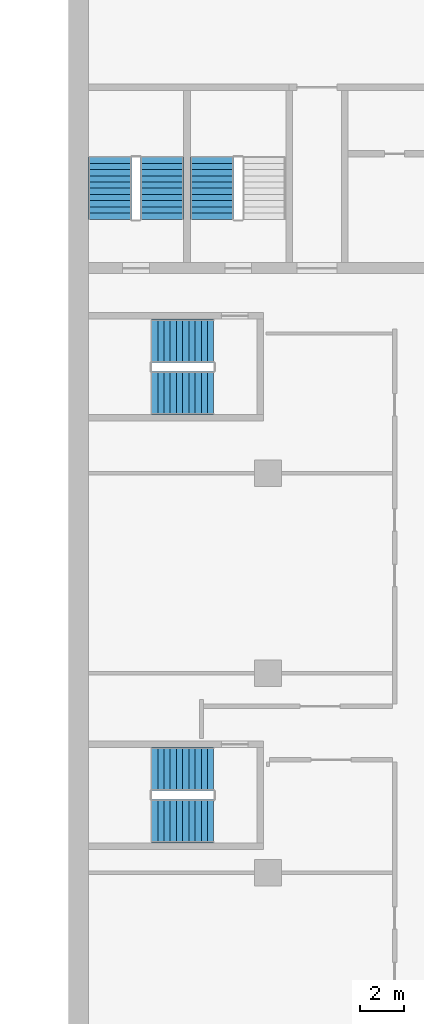
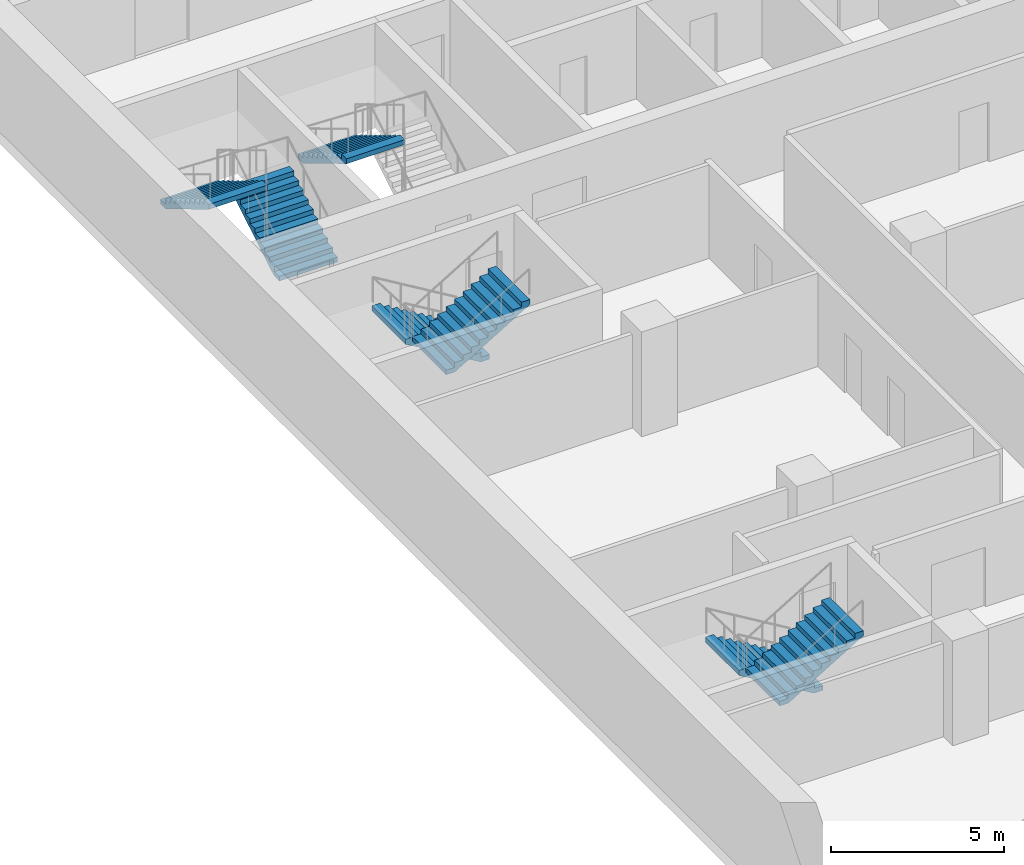
# One storey, part 15 of 22: 7 stair flights, 4 elements without a shape of their own.
"""IFC4 building model written with IfcOpenShell, lengths in metres."""

from ifc_helpers import new_model, si_unit, direction, frame, origin, place, context, subcontext, project, spatial, polyline, outline, extrude, material, type_object, element, aggregate, save


model = new_model("IFC4")

# Units and contexts
model_context = context("Model", 3, precision=1e-05, world=origin(), true_north=direction((0.0, 1.0)))
body_context = subcontext(model_context, "Body", "Model", "MODEL_VIEW")
ifc_project = project(units=[si_unit("LENGTHUNIT", "METRE"), si_unit("AREAUNIT", "SQUARE_METRE"), si_unit("VOLUMEUNIT", "CUBIC_METRE"), si_unit("PLANEANGLEUNIT", "RADIAN"), si_unit("MASSUNIT", "GRAM", prefix="KILO")], contexts=[model_context])

# Site, building, storey
site_placement = place(None, origin())
site = spatial("IfcSite", under=ifc_project, at=site_placement, CompositionType="ELEMENT")
building_placement = place(site_placement, origin())
building = spatial("IfcBuilding", under=site, at=building_placement, Name="Hunhe Ridgeline Campus", CompositionType="ELEMENT")
storey_placement = place(building_placement, frame((0.0, 0.0, 163.39990234375)))
storey = spatial("IfcBuildingStorey", under=building, at=storey_placement, Name="L41", CompositionType="ELEMENT", Elevation=163.39990234375)

# Stair, stair flights
ifc_material = material(Name="Concrete C40", Category="concrete")
stair_type = type_object("IfcStairType", Name="Reinforced concrete dog-leg stair 1950 Concrete C40", PredefinedType="HALF_TURN_STAIR", material=ifc_material)
stair_1_placement = place(storey_placement, origin())
stair_1 = element("IfcStair", 1, at=stair_1_placement, inside=storey, type_object=stair_type, Name="L41 S3", PredefinedType="HALF_TURN_STAIR")
stair_flight_type = type_object("IfcStairFlightType", Name="Reinforced concrete stair flight 1950 Concrete C40", PredefinedType="STRAIGHT", material=ifc_material)
stair_flight_1_placement = place(storey_placement, frame((4.22509765625, 65.449951171875, 0.0), z_axis=(0.0, 0.0, 1.0), x_axis=(0.0, 1.0, 0.0)))
stair_flight_1 = element("IfcStairFlight", 2, at=stair_flight_1_placement, type_object=stair_flight_type, Name="ST3 flight 1", NumberOfRisers=11, NumberOfTreads=10, PredefinedType="STRAIGHT", RiserHeight=0.168181818, TreadLength=0.28, context=body_context, shape_type="SweptSolid", body=[
    extrude(outline(polyline([(0.0, 0.0), (0.0, 0.168212890625), (0.280029296875, 0.168212890625), (0.280029296875, 0.33642578125), (0.56005859375, 0.33642578125), (0.56005859375, 0.504638671875), (0.840087890625, 0.504638671875), (0.840087890625, 0.672607421875), (1.1201171875, 0.672607421875), (1.1201171875, 0.8408203125), (1.39990234375, 0.8408203125), (1.39990234375, 1.009033203125), (1.679931640625, 1.009033203125), (1.679931640625, 1.17724609375), (1.9599609375, 1.17724609375), (1.9599609375, 1.345458984375), (2.239990234375, 1.345458984375), (2.239990234375, 1.513671875), (2.52001953125, 1.513671875), (2.52001953125, 1.681884765625), (2.800048828125, 1.681884765625), (2.800048828125, 1.85009765625), (2.800048828125, 1.5068359375), (0.291015625, 0.0), (0.0, 0.0)])), frame((0.0, 0.97509765625, 0.0), z_axis=(0.0, -1.0, 0.0), x_axis=(1.0, 0.0, 0.0)), (0.0, 0.0, 1.0), 1.949951171875),
    extrude(outline(polyline([(0.030029296875, 0.030029296875), (0.030029296875, 0.13818359375), (0.31005859375, 0.13818359375), (0.31005859375, 0.306396484375), (0.590087890625, 0.306396484375), (0.590087890625, 0.474609375), (0.8701171875, 0.474609375), (0.8701171875, 0.642578125), (1.14990234375, 0.642578125), (1.14990234375, 0.810791015625), (1.429931640625, 0.810791015625), (1.429931640625, 0.97900390625), (1.7099609375, 0.97900390625), (1.7099609375, 1.147216796875), (1.989990234375, 1.147216796875), (1.989990234375, 1.3154296875), (2.27001953125, 1.3154296875), (2.27001953125, 1.483642578125), (2.550048828125, 1.483642578125), (2.550048828125, 1.65185546875), (2.77001953125, 1.65185546875), (2.77001953125, 1.52392578125), (0.28271484375, 0.030029296875), (0.030029296875, 0.030029296875)])), frame((0.0, -0.070068359375, 0.0), z_axis=(0.0, -1.0, 0.0), x_axis=(1.0, 0.0, 0.0)), (0.0, 0.0, 1.0), 0.019775390625),
    extrude(outline(polyline([(0.030029296875, 0.030029296875), (0.030029296875, 0.13818359375), (0.31005859375, 0.13818359375), (0.31005859375, 0.306396484375), (0.590087890625, 0.306396484375), (0.590087890625, 0.474609375), (0.8701171875, 0.474609375), (0.8701171875, 0.642578125), (1.14990234375, 0.642578125), (1.14990234375, 0.810791015625), (1.429931640625, 0.810791015625), (1.429931640625, 0.97900390625), (1.7099609375, 0.97900390625), (1.7099609375, 1.147216796875), (1.989990234375, 1.147216796875), (1.989990234375, 1.3154296875), (2.27001953125, 1.3154296875), (2.27001953125, 1.483642578125), (2.550048828125, 1.483642578125), (2.550048828125, 1.65185546875), (2.77001953125, 1.65185546875), (2.77001953125, 1.52392578125), (0.28271484375, 0.030029296875), (0.030029296875, 0.030029296875)])), frame((0.0, 0.010009765625, 0.0), z_axis=(0.0, -1.0, 0.0), x_axis=(1.0, 0.0, 0.0)), (0.0, 0.0, 1.0), 0.019775390625),
    extrude(outline(polyline([(0.030029296875, 0.030029296875), (0.030029296875, 0.13818359375), (0.31005859375, 0.13818359375), (0.31005859375, 0.306396484375), (0.590087890625, 0.306396484375), (0.590087890625, 0.474609375), (0.8701171875, 0.474609375), (0.8701171875, 0.642578125), (1.14990234375, 0.642578125), (1.14990234375, 0.810791015625), (1.429931640625, 0.810791015625), (1.429931640625, 0.97900390625), (1.7099609375, 0.97900390625), (1.7099609375, 1.147216796875), (1.989990234375, 1.147216796875), (1.989990234375, 1.3154296875), (2.27001953125, 1.3154296875), (2.27001953125, 1.483642578125), (2.550048828125, 1.483642578125), (2.550048828125, 1.65185546875), (2.77001953125, 1.65185546875), (2.77001953125, 1.52392578125), (0.28271484375, 0.030029296875), (0.030029296875, 0.030029296875)])), frame((0.0, 0.090087890625, 0.0), z_axis=(0.0, -1.0, 0.0), x_axis=(1.0, 0.0, 0.0)), (0.0, 0.0, 1.0), 0.019775390625),
])
stair_flight_2_placement = place(storey_placement, frame((1.875, 68.25, 1.85009765625), z_axis=(0.0, 0.0, 1.0), x_axis=(0.0, -1.0, 0.0)))
stair_flight_2 = element("IfcStairFlight", 3, at=stair_flight_2_placement, type_object=stair_flight_type, Name="ST3 flight 2", NumberOfRisers=11, NumberOfTreads=10, PredefinedType="STRAIGHT", RiserHeight=0.168181818, TreadLength=0.28, context=body_context, shape_type="SweptSolid", body=[
    extrude(outline(polyline([(0.0, 0.0), (0.0, 0.168212890625), (0.280029296875, 0.168212890625), (0.280029296875, 0.33642578125), (0.56005859375, 0.33642578125), (0.56005859375, 0.504638671875), (0.840087890625, 0.504638671875), (0.840087890625, 0.672607421875), (1.1201171875, 0.672607421875), (1.1201171875, 0.8408203125), (1.39990234375, 0.8408203125), (1.39990234375, 1.009033203125), (1.679931640625, 1.009033203125), (1.679931640625, 1.17724609375), (1.9599609375, 1.17724609375), (1.9599609375, 1.345458984375), (2.239990234375, 1.345458984375), (2.239990234375, 1.513671875), (2.52001953125, 1.513671875), (2.52001953125, 1.681884765625), (2.800048828125, 1.681884765625), (2.800048828125, 1.85009765625), (2.800048828125, 1.5068359375), (0.291015625, 0.0), (0.0, 0.0)])), frame((0.0, 0.97509765625, 0.0), z_axis=(0.0, -1.0, 0.0), x_axis=(1.0, 0.0, 0.0)), (0.0, 0.0, 1.0), 1.949951171875),
    extrude(outline(polyline([(0.030029296875, 0.030029296875), (0.030029296875, 0.13818359375), (0.31005859375, 0.13818359375), (0.31005859375, 0.306396484375), (0.590087890625, 0.306396484375), (0.590087890625, 0.474609375), (0.8701171875, 0.474609375), (0.8701171875, 0.642578125), (1.14990234375, 0.642578125), (1.14990234375, 0.810791015625), (1.429931640625, 0.810791015625), (1.429931640625, 0.97900390625), (1.7099609375, 0.97900390625), (1.7099609375, 1.147216796875), (1.989990234375, 1.147216796875), (1.989990234375, 1.3154296875), (2.27001953125, 1.3154296875), (2.27001953125, 1.483642578125), (2.550048828125, 1.483642578125), (2.550048828125, 1.65185546875), (2.77001953125, 1.65185546875), (2.77001953125, 1.52392578125), (0.28271484375, 0.030029296875), (0.030029296875, 0.030029296875)])), frame((0.0, -0.070068359375, 0.0), z_axis=(0.0, -1.0, 0.0), x_axis=(1.0, 0.0, 0.0)), (0.0, 0.0, 1.0), 0.019775390625),
    extrude(outline(polyline([(0.030029296875, 0.030029296875), (0.030029296875, 0.13818359375), (0.31005859375, 0.13818359375), (0.31005859375, 0.306396484375), (0.590087890625, 0.306396484375), (0.590087890625, 0.474609375), (0.8701171875, 0.474609375), (0.8701171875, 0.642578125), (1.14990234375, 0.642578125), (1.14990234375, 0.810791015625), (1.429931640625, 0.810791015625), (1.429931640625, 0.97900390625), (1.7099609375, 0.97900390625), (1.7099609375, 1.147216796875), (1.989990234375, 1.147216796875), (1.989990234375, 1.3154296875), (2.27001953125, 1.3154296875), (2.27001953125, 1.483642578125), (2.550048828125, 1.483642578125), (2.550048828125, 1.65185546875), (2.77001953125, 1.65185546875), (2.77001953125, 1.52392578125), (0.28271484375, 0.030029296875), (0.030029296875, 0.030029296875)])), frame((0.0, 0.010009765625, 0.0), z_axis=(0.0, -1.0, 0.0), x_axis=(1.0, 0.0, 0.0)), (0.0, 0.0, 1.0), 0.019775390625),
    extrude(outline(polyline([(0.030029296875, 0.030029296875), (0.030029296875, 0.13818359375), (0.31005859375, 0.13818359375), (0.31005859375, 0.306396484375), (0.590087890625, 0.306396484375), (0.590087890625, 0.474609375), (0.8701171875, 0.474609375), (0.8701171875, 0.642578125), (1.14990234375, 0.642578125), (1.14990234375, 0.810791015625), (1.429931640625, 0.810791015625), (1.429931640625, 0.97900390625), (1.7099609375, 0.97900390625), (1.7099609375, 1.147216796875), (1.989990234375, 1.147216796875), (1.989990234375, 1.3154296875), (2.27001953125, 1.3154296875), (2.27001953125, 1.483642578125), (2.550048828125, 1.483642578125), (2.550048828125, 1.65185546875), (2.77001953125, 1.65185546875), (2.77001953125, 1.52392578125), (0.28271484375, 0.030029296875), (0.030029296875, 0.030029296875)])), frame((0.0, 0.090087890625, 0.0), z_axis=(0.0, -1.0, 0.0), x_axis=(1.0, 0.0, 0.0)), (0.0, 0.0, 1.0), 0.019775390625),
])
aggregate(stair_1, [stair_flight_1, stair_flight_2])

# Stair, stair flight
stair_2_placement = place(storey_placement, origin())
stair_2 = element("IfcStair", 4, at=stair_2_placement, inside=storey, type_object=stair_type, Name="L41 S4", PredefinedType="HALF_TURN_STAIR")
stair_flight_3_placement = place(storey_placement, frame((6.47509765625, 68.25, 1.85009765625), z_axis=(0.0, 0.0, 1.0), x_axis=(0.0, -1.0, 0.0)))
stair_flight_3 = element("IfcStairFlight", 5, at=stair_flight_3_placement, type_object=stair_flight_type, Name="ST4 flight 2", NumberOfRisers=11, NumberOfTreads=10, PredefinedType="STRAIGHT", RiserHeight=0.168181818, TreadLength=0.28, context=body_context, shape_type="SweptSolid", body=[
    extrude(outline(polyline([(0.0, 0.0), (0.0, 0.168212890625), (0.280029296875, 0.168212890625), (0.280029296875, 0.33642578125), (0.56005859375, 0.33642578125), (0.56005859375, 0.504638671875), (0.840087890625, 0.504638671875), (0.840087890625, 0.672607421875), (1.1201171875, 0.672607421875), (1.1201171875, 0.8408203125), (1.39990234375, 0.8408203125), (1.39990234375, 1.009033203125), (1.679931640625, 1.009033203125), (1.679931640625, 1.17724609375), (1.9599609375, 1.17724609375), (1.9599609375, 1.345458984375), (2.239990234375, 1.345458984375), (2.239990234375, 1.513671875), (2.52001953125, 1.513671875), (2.52001953125, 1.681884765625), (2.800048828125, 1.681884765625), (2.800048828125, 1.85009765625), (2.800048828125, 1.5068359375), (0.291015625, 0.0), (0.0, 0.0)])), frame((0.0, 0.97509765625, 0.0), z_axis=(0.0, -1.0, 0.0), x_axis=(1.0, 0.0, 0.0)), (0.0, 0.0, 1.0), 1.949951171875),
    extrude(outline(polyline([(0.030029296875, 0.030029296875), (0.030029296875, 0.13818359375), (0.31005859375, 0.13818359375), (0.31005859375, 0.306396484375), (0.590087890625, 0.306396484375), (0.590087890625, 0.474609375), (0.8701171875, 0.474609375), (0.8701171875, 0.642578125), (1.14990234375, 0.642578125), (1.14990234375, 0.810791015625), (1.429931640625, 0.810791015625), (1.429931640625, 0.97900390625), (1.7099609375, 0.97900390625), (1.7099609375, 1.147216796875), (1.989990234375, 1.147216796875), (1.989990234375, 1.3154296875), (2.27001953125, 1.3154296875), (2.27001953125, 1.483642578125), (2.550048828125, 1.483642578125), (2.550048828125, 1.65185546875), (2.77001953125, 1.65185546875), (2.77001953125, 1.52392578125), (0.28271484375, 0.030029296875), (0.030029296875, 0.030029296875)])), frame((0.0, -0.070068359375, 0.0), z_axis=(0.0, -1.0, 0.0), x_axis=(1.0, 0.0, 0.0)), (0.0, 0.0, 1.0), 0.019775390625),
    extrude(outline(polyline([(0.030029296875, 0.030029296875), (0.030029296875, 0.13818359375), (0.31005859375, 0.13818359375), (0.31005859375, 0.306396484375), (0.590087890625, 0.306396484375), (0.590087890625, 0.474609375), (0.8701171875, 0.474609375), (0.8701171875, 0.642578125), (1.14990234375, 0.642578125), (1.14990234375, 0.810791015625), (1.429931640625, 0.810791015625), (1.429931640625, 0.97900390625), (1.7099609375, 0.97900390625), (1.7099609375, 1.147216796875), (1.989990234375, 1.147216796875), (1.989990234375, 1.3154296875), (2.27001953125, 1.3154296875), (2.27001953125, 1.483642578125), (2.550048828125, 1.483642578125), (2.550048828125, 1.65185546875), (2.77001953125, 1.65185546875), (2.77001953125, 1.52392578125), (0.28271484375, 0.030029296875), (0.030029296875, 0.030029296875)])), frame((0.0, 0.010009765625, 0.0), z_axis=(0.0, -1.0, 0.0), x_axis=(1.0, 0.0, 0.0)), (0.0, 0.0, 1.0), 0.019775390625),
    extrude(outline(polyline([(0.030029296875, 0.030029296875), (0.030029296875, 0.13818359375), (0.31005859375, 0.13818359375), (0.31005859375, 0.306396484375), (0.590087890625, 0.306396484375), (0.590087890625, 0.474609375), (0.8701171875, 0.474609375), (0.8701171875, 0.642578125), (1.14990234375, 0.642578125), (1.14990234375, 0.810791015625), (1.429931640625, 0.810791015625), (1.429931640625, 0.97900390625), (1.7099609375, 0.97900390625), (1.7099609375, 1.147216796875), (1.989990234375, 1.147216796875), (1.989990234375, 1.3154296875), (2.27001953125, 1.3154296875), (2.27001953125, 1.483642578125), (2.550048828125, 1.483642578125), (2.550048828125, 1.65185546875), (2.77001953125, 1.65185546875), (2.77001953125, 1.52392578125), (0.28271484375, 0.030029296875), (0.030029296875, 0.030029296875)])), frame((0.0, 0.090087890625, 0.0), z_axis=(0.0, -1.0, 0.0), x_axis=(1.0, 0.0, 0.0)), (0.0, 0.0, 1.0), 0.019775390625),
])
aggregate(stair_2, [stair_flight_3])

# Stair, stair flights
stair_3_placement = place(storey_placement, origin())
stair_3 = element("IfcStair", 6, at=stair_3_placement, inside=storey, type_object=stair_type, Name="L41 W1", PredefinedType="HALF_TURN_STAIR")
stair_flight_4_placement = place(storey_placement, frame((6.550048828125, 40.675048828125, 0.0), z_axis=(0.0, 0.0, 1.0), x_axis=(-1.0, 0.0, 0.0)))
stair_flight_4 = element("IfcStairFlight", 7, at=stair_flight_4_placement, type_object=stair_flight_type, Name="ST11 flight 1", NumberOfRisers=11, NumberOfTreads=10, PredefinedType="STRAIGHT", RiserHeight=0.168181818, TreadLength=0.28, context=body_context, shape_type="SweptSolid", body=[
    extrude(outline(polyline([(0.0, 0.0), (0.0, 0.168212890625), (0.280029296875, 0.168212890625), (0.280029296875, 0.33642578125), (0.56005859375, 0.33642578125), (0.56005859375, 0.504638671875), (0.840087890625, 0.504638671875), (0.840087890625, 0.672607421875), (1.1201171875, 0.672607421875), (1.1201171875, 0.8408203125), (1.39990234375, 0.8408203125), (1.39990234375, 1.009033203125), (1.679931640625, 1.009033203125), (1.679931640625, 1.17724609375), (1.9599609375, 1.17724609375), (1.9599609375, 1.345458984375), (2.239990234375, 1.345458984375), (2.239990234375, 1.513671875), (2.52001953125, 1.513671875), (2.52001953125, 1.681884765625), (2.800048828125, 1.681884765625), (2.800048828125, 1.85009765625), (2.800048828125, 1.5068359375), (0.291015625, 0.0), (0.0, 0.0)])), frame((0.0, 0.97509765625, 0.0), z_axis=(0.0, -1.0, 0.0), x_axis=(1.0, 0.0, 0.0)), (0.0, 0.0, 1.0), 1.949951171875),
    extrude(outline(polyline([(0.030029296875, 0.030029296875), (0.030029296875, 0.13818359375), (0.31005859375, 0.13818359375), (0.31005859375, 0.306396484375), (0.590087890625, 0.306396484375), (0.590087890625, 0.474609375), (0.8701171875, 0.474609375), (0.8701171875, 0.642578125), (1.14990234375, 0.642578125), (1.14990234375, 0.810791015625), (1.429931640625, 0.810791015625), (1.429931640625, 0.97900390625), (1.7099609375, 0.97900390625), (1.7099609375, 1.147216796875), (1.989990234375, 1.147216796875), (1.989990234375, 1.3154296875), (2.27001953125, 1.3154296875), (2.27001953125, 1.483642578125), (2.550048828125, 1.483642578125), (2.550048828125, 1.65185546875), (2.77001953125, 1.65185546875), (2.77001953125, 1.52392578125), (0.28271484375, 0.030029296875), (0.030029296875, 0.030029296875)])), frame((0.0, -0.070068359375, 0.0), z_axis=(0.0, -1.0, 0.0), x_axis=(1.0, 0.0, 0.0)), (0.0, 0.0, 1.0), 0.019775390625),
    extrude(outline(polyline([(0.030029296875, 0.030029296875), (0.030029296875, 0.13818359375), (0.31005859375, 0.13818359375), (0.31005859375, 0.306396484375), (0.590087890625, 0.306396484375), (0.590087890625, 0.474609375), (0.8701171875, 0.474609375), (0.8701171875, 0.642578125), (1.14990234375, 0.642578125), (1.14990234375, 0.810791015625), (1.429931640625, 0.810791015625), (1.429931640625, 0.97900390625), (1.7099609375, 0.97900390625), (1.7099609375, 1.147216796875), (1.989990234375, 1.147216796875), (1.989990234375, 1.3154296875), (2.27001953125, 1.3154296875), (2.27001953125, 1.483642578125), (2.550048828125, 1.483642578125), (2.550048828125, 1.65185546875), (2.77001953125, 1.65185546875), (2.77001953125, 1.52392578125), (0.28271484375, 0.030029296875), (0.030029296875, 0.030029296875)])), frame((0.0, 0.010009765625, 0.0), z_axis=(0.0, -1.0, 0.0), x_axis=(1.0, 0.0, 0.0)), (0.0, 0.0, 1.0), 0.019775390625),
    extrude(outline(polyline([(0.030029296875, 0.030029296875), (0.030029296875, 0.13818359375), (0.31005859375, 0.13818359375), (0.31005859375, 0.306396484375), (0.590087890625, 0.306396484375), (0.590087890625, 0.474609375), (0.8701171875, 0.474609375), (0.8701171875, 0.642578125), (1.14990234375, 0.642578125), (1.14990234375, 0.810791015625), (1.429931640625, 0.810791015625), (1.429931640625, 0.97900390625), (1.7099609375, 0.97900390625), (1.7099609375, 1.147216796875), (1.989990234375, 1.147216796875), (1.989990234375, 1.3154296875), (2.27001953125, 1.3154296875), (2.27001953125, 1.483642578125), (2.550048828125, 1.483642578125), (2.550048828125, 1.65185546875), (2.77001953125, 1.65185546875), (2.77001953125, 1.52392578125), (0.28271484375, 0.030029296875), (0.030029296875, 0.030029296875)])), frame((0.0, 0.090087890625, 0.0), z_axis=(0.0, -1.0, 0.0), x_axis=(1.0, 0.0, 0.0)), (0.0, 0.0, 1.0), 0.019775390625),
])
stair_flight_5_placement = place(storey_placement, frame((3.75, 38.324951171875, 1.85009765625), z_axis=(0.0, 0.0, 1.0), x_axis=(1.0, 0.0, 0.0)))
stair_flight_5 = element("IfcStairFlight", 8, at=stair_flight_5_placement, type_object=stair_flight_type, Name="ST11 flight 2", NumberOfRisers=11, NumberOfTreads=10, PredefinedType="STRAIGHT", RiserHeight=0.168181818, TreadLength=0.28, context=body_context, shape_type="SweptSolid", body=[
    extrude(outline(polyline([(0.0, 0.0), (0.0, 0.168212890625), (0.280029296875, 0.168212890625), (0.280029296875, 0.33642578125), (0.56005859375, 0.33642578125), (0.56005859375, 0.504638671875), (0.840087890625, 0.504638671875), (0.840087890625, 0.672607421875), (1.1201171875, 0.672607421875), (1.1201171875, 0.8408203125), (1.39990234375, 0.8408203125), (1.39990234375, 1.009033203125), (1.679931640625, 1.009033203125), (1.679931640625, 1.17724609375), (1.9599609375, 1.17724609375), (1.9599609375, 1.345458984375), (2.239990234375, 1.345458984375), (2.239990234375, 1.513671875), (2.52001953125, 1.513671875), (2.52001953125, 1.681884765625), (2.800048828125, 1.681884765625), (2.800048828125, 1.85009765625), (2.800048828125, 1.5068359375), (0.291015625, 0.0), (0.0, 0.0)])), frame((0.0, 0.97509765625, 0.0), z_axis=(0.0, -1.0, 0.0), x_axis=(1.0, 0.0, 0.0)), (0.0, 0.0, 1.0), 1.949951171875),
    extrude(outline(polyline([(0.030029296875, 0.030029296875), (0.030029296875, 0.13818359375), (0.31005859375, 0.13818359375), (0.31005859375, 0.306396484375), (0.590087890625, 0.306396484375), (0.590087890625, 0.474609375), (0.8701171875, 0.474609375), (0.8701171875, 0.642578125), (1.14990234375, 0.642578125), (1.14990234375, 0.810791015625), (1.429931640625, 0.810791015625), (1.429931640625, 0.97900390625), (1.7099609375, 0.97900390625), (1.7099609375, 1.147216796875), (1.989990234375, 1.147216796875), (1.989990234375, 1.3154296875), (2.27001953125, 1.3154296875), (2.27001953125, 1.483642578125), (2.550048828125, 1.483642578125), (2.550048828125, 1.65185546875), (2.77001953125, 1.65185546875), (2.77001953125, 1.52392578125), (0.28271484375, 0.030029296875), (0.030029296875, 0.030029296875)])), frame((0.0, -0.070068359375, 0.0), z_axis=(0.0, -1.0, 0.0), x_axis=(1.0, 0.0, 0.0)), (0.0, 0.0, 1.0), 0.019775390625),
    extrude(outline(polyline([(0.030029296875, 0.030029296875), (0.030029296875, 0.13818359375), (0.31005859375, 0.13818359375), (0.31005859375, 0.306396484375), (0.590087890625, 0.306396484375), (0.590087890625, 0.474609375), (0.8701171875, 0.474609375), (0.8701171875, 0.642578125), (1.14990234375, 0.642578125), (1.14990234375, 0.810791015625), (1.429931640625, 0.810791015625), (1.429931640625, 0.97900390625), (1.7099609375, 0.97900390625), (1.7099609375, 1.147216796875), (1.989990234375, 1.147216796875), (1.989990234375, 1.3154296875), (2.27001953125, 1.3154296875), (2.27001953125, 1.483642578125), (2.550048828125, 1.483642578125), (2.550048828125, 1.65185546875), (2.77001953125, 1.65185546875), (2.77001953125, 1.52392578125), (0.28271484375, 0.030029296875), (0.030029296875, 0.030029296875)])), frame((0.0, 0.010009765625, 0.0), z_axis=(0.0, -1.0, 0.0), x_axis=(1.0, 0.0, 0.0)), (0.0, 0.0, 1.0), 0.019775390625),
    extrude(outline(polyline([(0.030029296875, 0.030029296875), (0.030029296875, 0.13818359375), (0.31005859375, 0.13818359375), (0.31005859375, 0.306396484375), (0.590087890625, 0.306396484375), (0.590087890625, 0.474609375), (0.8701171875, 0.474609375), (0.8701171875, 0.642578125), (1.14990234375, 0.642578125), (1.14990234375, 0.810791015625), (1.429931640625, 0.810791015625), (1.429931640625, 0.97900390625), (1.7099609375, 0.97900390625), (1.7099609375, 1.147216796875), (1.989990234375, 1.147216796875), (1.989990234375, 1.3154296875), (2.27001953125, 1.3154296875), (2.27001953125, 1.483642578125), (2.550048828125, 1.483642578125), (2.550048828125, 1.65185546875), (2.77001953125, 1.65185546875), (2.77001953125, 1.52392578125), (0.28271484375, 0.030029296875), (0.030029296875, 0.030029296875)])), frame((0.0, 0.090087890625, 0.0), z_axis=(0.0, -1.0, 0.0), x_axis=(1.0, 0.0, 0.0)), (0.0, 0.0, 1.0), 0.019775390625),
])
aggregate(stair_3, [stair_flight_4, stair_flight_5])

stair_4_placement = place(storey_placement, origin())
stair_4 = element("IfcStair", 9, at=stair_4_placement, inside=storey, type_object=stair_type, Name="L41 W2", PredefinedType="HALF_TURN_STAIR")
stair_flight_6_placement = place(storey_placement, frame((6.550048828125, 59.97509765625, 0.0), z_axis=(0.0, 0.0, 1.0), x_axis=(-1.0, 0.0, 0.0)))
stair_flight_6 = element("IfcStairFlight", 10, at=stair_flight_6_placement, type_object=stair_flight_type, Name="ST12 flight 1", NumberOfRisers=11, NumberOfTreads=10, PredefinedType="STRAIGHT", RiserHeight=0.168181818, TreadLength=0.28, context=body_context, shape_type="SweptSolid", body=[
    extrude(outline(polyline([(0.0, 0.0), (0.0, 0.168212890625), (0.280029296875, 0.168212890625), (0.280029296875, 0.33642578125), (0.56005859375, 0.33642578125), (0.56005859375, 0.504638671875), (0.840087890625, 0.504638671875), (0.840087890625, 0.672607421875), (1.1201171875, 0.672607421875), (1.1201171875, 0.8408203125), (1.39990234375, 0.8408203125), (1.39990234375, 1.009033203125), (1.679931640625, 1.009033203125), (1.679931640625, 1.17724609375), (1.9599609375, 1.17724609375), (1.9599609375, 1.345458984375), (2.239990234375, 1.345458984375), (2.239990234375, 1.513671875), (2.52001953125, 1.513671875), (2.52001953125, 1.681884765625), (2.800048828125, 1.681884765625), (2.800048828125, 1.85009765625), (2.800048828125, 1.5068359375), (0.291015625, 0.0), (0.0, 0.0)])), frame((0.0, 0.97509765625, 0.0), z_axis=(0.0, -1.0, 0.0), x_axis=(1.0, 0.0, 0.0)), (0.0, 0.0, 1.0), 1.949951171875),
    extrude(outline(polyline([(0.030029296875, 0.030029296875), (0.030029296875, 0.13818359375), (0.31005859375, 0.13818359375), (0.31005859375, 0.306396484375), (0.590087890625, 0.306396484375), (0.590087890625, 0.474609375), (0.8701171875, 0.474609375), (0.8701171875, 0.642578125), (1.14990234375, 0.642578125), (1.14990234375, 0.810791015625), (1.429931640625, 0.810791015625), (1.429931640625, 0.97900390625), (1.7099609375, 0.97900390625), (1.7099609375, 1.147216796875), (1.989990234375, 1.147216796875), (1.989990234375, 1.3154296875), (2.27001953125, 1.3154296875), (2.27001953125, 1.483642578125), (2.550048828125, 1.483642578125), (2.550048828125, 1.65185546875), (2.77001953125, 1.65185546875), (2.77001953125, 1.52392578125), (0.28271484375, 0.030029296875), (0.030029296875, 0.030029296875)])), frame((0.0, -0.070068359375, 0.0), z_axis=(0.0, -1.0, 0.0), x_axis=(1.0, 0.0, 0.0)), (0.0, 0.0, 1.0), 0.019775390625),
    extrude(outline(polyline([(0.030029296875, 0.030029296875), (0.030029296875, 0.13818359375), (0.31005859375, 0.13818359375), (0.31005859375, 0.306396484375), (0.590087890625, 0.306396484375), (0.590087890625, 0.474609375), (0.8701171875, 0.474609375), (0.8701171875, 0.642578125), (1.14990234375, 0.642578125), (1.14990234375, 0.810791015625), (1.429931640625, 0.810791015625), (1.429931640625, 0.97900390625), (1.7099609375, 0.97900390625), (1.7099609375, 1.147216796875), (1.989990234375, 1.147216796875), (1.989990234375, 1.3154296875), (2.27001953125, 1.3154296875), (2.27001953125, 1.483642578125), (2.550048828125, 1.483642578125), (2.550048828125, 1.65185546875), (2.77001953125, 1.65185546875), (2.77001953125, 1.52392578125), (0.28271484375, 0.030029296875), (0.030029296875, 0.030029296875)])), frame((0.0, 0.010009765625, 0.0), z_axis=(0.0, -1.0, 0.0), x_axis=(1.0, 0.0, 0.0)), (0.0, 0.0, 1.0), 0.019775390625),
    extrude(outline(polyline([(0.030029296875, 0.030029296875), (0.030029296875, 0.13818359375), (0.31005859375, 0.13818359375), (0.31005859375, 0.306396484375), (0.590087890625, 0.306396484375), (0.590087890625, 0.474609375), (0.8701171875, 0.474609375), (0.8701171875, 0.642578125), (1.14990234375, 0.642578125), (1.14990234375, 0.810791015625), (1.429931640625, 0.810791015625), (1.429931640625, 0.97900390625), (1.7099609375, 0.97900390625), (1.7099609375, 1.147216796875), (1.989990234375, 1.147216796875), (1.989990234375, 1.3154296875), (2.27001953125, 1.3154296875), (2.27001953125, 1.483642578125), (2.550048828125, 1.483642578125), (2.550048828125, 1.65185546875), (2.77001953125, 1.65185546875), (2.77001953125, 1.52392578125), (0.28271484375, 0.030029296875), (0.030029296875, 0.030029296875)])), frame((0.0, 0.090087890625, 0.0), z_axis=(0.0, -1.0, 0.0), x_axis=(1.0, 0.0, 0.0)), (0.0, 0.0, 1.0), 0.019775390625),
])
stair_flight_7_placement = place(storey_placement, frame((3.75, 57.625, 1.85009765625), z_axis=(0.0, 0.0, 1.0), x_axis=(1.0, 0.0, 0.0)))
stair_flight_7 = element("IfcStairFlight", 11, at=stair_flight_7_placement, type_object=stair_flight_type, Name="ST12 flight 2", NumberOfRisers=11, NumberOfTreads=10, PredefinedType="STRAIGHT", RiserHeight=0.168181818, TreadLength=0.28, context=body_context, shape_type="SweptSolid", body=[
    extrude(outline(polyline([(0.0, 0.0), (0.0, 0.168212890625), (0.280029296875, 0.168212890625), (0.280029296875, 0.33642578125), (0.56005859375, 0.33642578125), (0.56005859375, 0.504638671875), (0.840087890625, 0.504638671875), (0.840087890625, 0.672607421875), (1.1201171875, 0.672607421875), (1.1201171875, 0.8408203125), (1.39990234375, 0.8408203125), (1.39990234375, 1.009033203125), (1.679931640625, 1.009033203125), (1.679931640625, 1.17724609375), (1.9599609375, 1.17724609375), (1.9599609375, 1.345458984375), (2.239990234375, 1.345458984375), (2.239990234375, 1.513671875), (2.52001953125, 1.513671875), (2.52001953125, 1.681884765625), (2.800048828125, 1.681884765625), (2.800048828125, 1.85009765625), (2.800048828125, 1.5068359375), (0.291015625, 0.0), (0.0, 0.0)])), frame((0.0, 0.97509765625, 0.0), z_axis=(0.0, -1.0, 0.0), x_axis=(1.0, 0.0, 0.0)), (0.0, 0.0, 1.0), 1.949951171875),
    extrude(outline(polyline([(0.030029296875, 0.030029296875), (0.030029296875, 0.13818359375), (0.31005859375, 0.13818359375), (0.31005859375, 0.306396484375), (0.590087890625, 0.306396484375), (0.590087890625, 0.474609375), (0.8701171875, 0.474609375), (0.8701171875, 0.642578125), (1.14990234375, 0.642578125), (1.14990234375, 0.810791015625), (1.429931640625, 0.810791015625), (1.429931640625, 0.97900390625), (1.7099609375, 0.97900390625), (1.7099609375, 1.147216796875), (1.989990234375, 1.147216796875), (1.989990234375, 1.3154296875), (2.27001953125, 1.3154296875), (2.27001953125, 1.483642578125), (2.550048828125, 1.483642578125), (2.550048828125, 1.65185546875), (2.77001953125, 1.65185546875), (2.77001953125, 1.52392578125), (0.28271484375, 0.030029296875), (0.030029296875, 0.030029296875)])), frame((0.0, -0.070068359375, 0.0), z_axis=(0.0, -1.0, 0.0), x_axis=(1.0, 0.0, 0.0)), (0.0, 0.0, 1.0), 0.019775390625),
    extrude(outline(polyline([(0.030029296875, 0.030029296875), (0.030029296875, 0.13818359375), (0.31005859375, 0.13818359375), (0.31005859375, 0.306396484375), (0.590087890625, 0.306396484375), (0.590087890625, 0.474609375), (0.8701171875, 0.474609375), (0.8701171875, 0.642578125), (1.14990234375, 0.642578125), (1.14990234375, 0.810791015625), (1.429931640625, 0.810791015625), (1.429931640625, 0.97900390625), (1.7099609375, 0.97900390625), (1.7099609375, 1.147216796875), (1.989990234375, 1.147216796875), (1.989990234375, 1.3154296875), (2.27001953125, 1.3154296875), (2.27001953125, 1.483642578125), (2.550048828125, 1.483642578125), (2.550048828125, 1.65185546875), (2.77001953125, 1.65185546875), (2.77001953125, 1.52392578125), (0.28271484375, 0.030029296875), (0.030029296875, 0.030029296875)])), frame((0.0, 0.010009765625, 0.0), z_axis=(0.0, -1.0, 0.0), x_axis=(1.0, 0.0, 0.0)), (0.0, 0.0, 1.0), 0.019775390625),
    extrude(outline(polyline([(0.030029296875, 0.030029296875), (0.030029296875, 0.13818359375), (0.31005859375, 0.13818359375), (0.31005859375, 0.306396484375), (0.590087890625, 0.306396484375), (0.590087890625, 0.474609375), (0.8701171875, 0.474609375), (0.8701171875, 0.642578125), (1.14990234375, 0.642578125), (1.14990234375, 0.810791015625), (1.429931640625, 0.810791015625), (1.429931640625, 0.97900390625), (1.7099609375, 0.97900390625), (1.7099609375, 1.147216796875), (1.989990234375, 1.147216796875), (1.989990234375, 1.3154296875), (2.27001953125, 1.3154296875), (2.27001953125, 1.483642578125), (2.550048828125, 1.483642578125), (2.550048828125, 1.65185546875), (2.77001953125, 1.65185546875), (2.77001953125, 1.52392578125), (0.28271484375, 0.030029296875), (0.030029296875, 0.030029296875)])), frame((0.0, 0.090087890625, 0.0), z_axis=(0.0, -1.0, 0.0), x_axis=(1.0, 0.0, 0.0)), (0.0, 0.0, 1.0), 0.019775390625),
])
aggregate(stair_4, [stair_flight_6, stair_flight_7])

save(model, "model.ifc")
